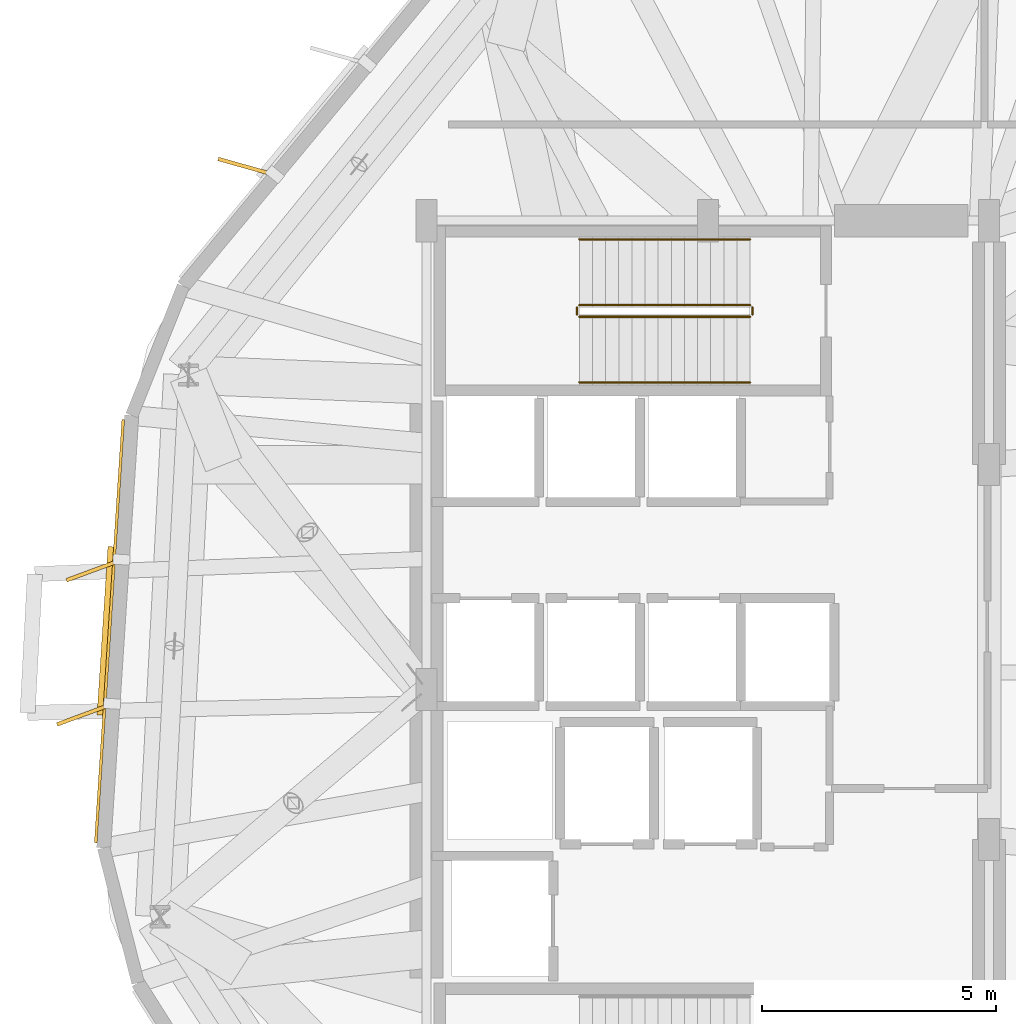
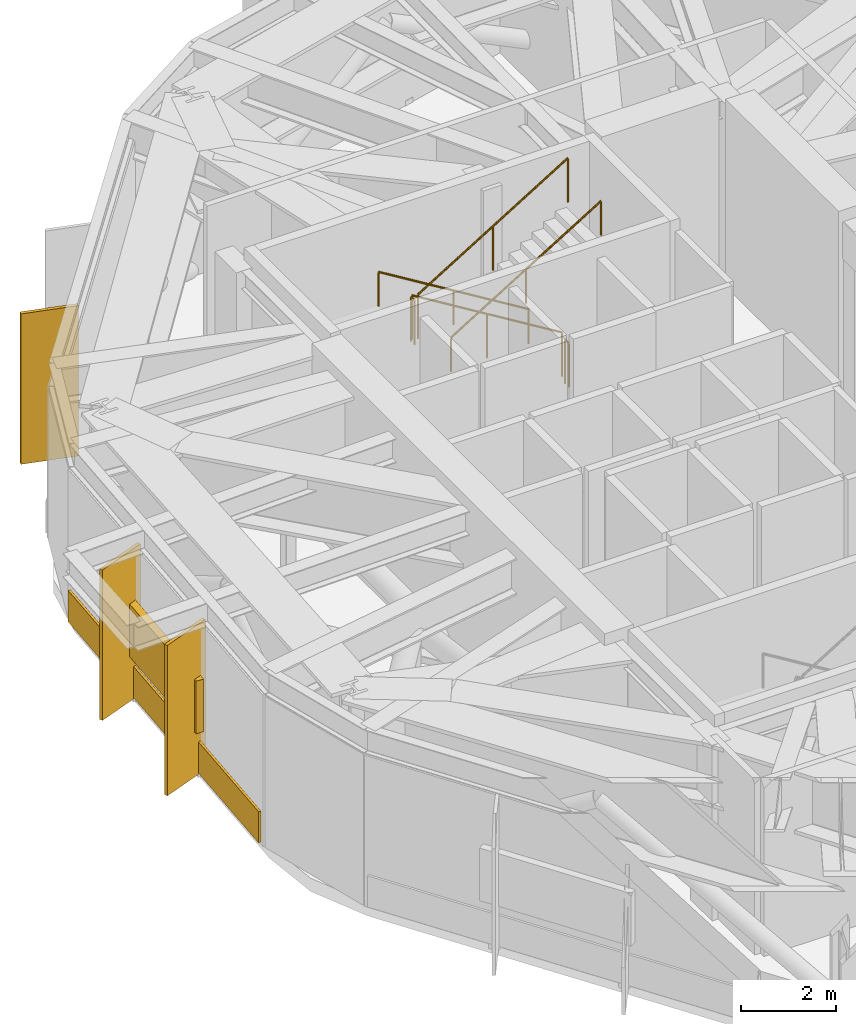
# One storey, part 12 of 13: 6 railings, 4 shading devices, 1 covering.
"""IFC4 building model written with IfcOpenShell, lengths in metres."""

from ifc_helpers import new_model, si_unit, direction, frame, origin, origin_2d, place, context, subcontext, project, spatial, rectangle, circle, extrude, material, layer, layer_set, type_object, element, save


model = new_model("IFC4")

# Units and contexts
model_context = context("Model", 3, precision=1e-05, world=origin(), true_north=direction((0.0, 1.0)))
body_context = subcontext(model_context, "Body", "Model", "MODEL_VIEW")
ifc_project = project(units=[si_unit("LENGTHUNIT", "METRE"), si_unit("AREAUNIT", "SQUARE_METRE"), si_unit("VOLUMEUNIT", "CUBIC_METRE"), si_unit("PLANEANGLEUNIT", "RADIAN"), si_unit("MASSUNIT", "GRAM", prefix="KILO")], contexts=[model_context])

# Site, building, storey
site_placement = place(None, origin())
site = spatial("IfcSite", under=ifc_project, at=site_placement, CompositionType="ELEMENT")
building_placement = place(site_placement, origin())
building = spatial("IfcBuilding", under=site, at=building_placement, Name="Soratama Intermodal Tower", CompositionType="ELEMENT")
storey_placement = place(building_placement, frame((0.0, 0.0, 82.60009765625)))
storey = spatial("IfcBuildingStorey", under=building, at=storey_placement, Name="L19", CompositionType="ELEMENT", Elevation=82.60009765625)

# Covering
ifc_material_1 = material(Name="Honed Andean limestone cladding", Category="masonry")
ifc_layer_1 = layer(ifc_material_1, 0.06005859375)
ifc_layer_set_1 = layer_set([ifc_layer_1], Name="Honed Andean limestone cladding")
covering_type = type_object("IfcCoveringType", Name="CV-STONE-CLAD", PredefinedType="CLADDING", material=ifc_layer_set_1)
covering_placement = place(storey_placement, frame((25.8388671875, 26.245849609375, 0.0498046875), z_axis=(0.0, 0.0, 1.0), x_axis=(-0.064880642578, -0.997893031451, 0.0)))
element("IfcCovering", 1, at=covering_placement, inside=storey, type_object=covering_type, Name="L19 Stone Cladding F05", PredefinedType="CLADDING", context=body_context, shape_type="SweptSolid", body=[
    extrude(rectangle(XDim=9.044921875, YDim=0.06005859375, at=origin_2d()), origin(), (0.0, 0.0, 1.0), 0.800048828125),
])

# Railings
ifc_material_2 = material(Name="Painted steel stair guardrail", Category="steel")
railing_type_1 = type_object("IfcRailingType", Name="RL-STAIR-GUARD", PredefinedType="GUARDRAIL", material=ifc_material_2)
railing_1_placement = place(storey_placement, frame((39.5, 33.199951171875, 0.17138671875)))
element("IfcRailing", 2, at=railing_1_placement, inside=storey, type_object=railing_type_1, Name="L19 ST-2 stair guard 1", PredefinedType="GUARDRAIL", context=body_context, shape_type="SweptSolid", body=[
    extrude(circle(Radius=0.02392578125, at=origin_2d()), frame((0.0, 0.0, 1.1259765625), z_axis=(-0.852850264322, 0.0, 0.5221555579), x_axis=(0.0, -1.0, 0.0)), (0.0, 0.0, 1.0), 4.267822265625),
    extrude(circle(Radius=0.02099609375, at=origin_2d()), origin(), (0.0, 0.0, 1.0), 1.101806640625),
    extrude(circle(Radius=0.02099609375, at=origin_2d()), frame((-1.81982421875, 0.0, 1.1142578125)), (0.0, 0.0, 1.0), 1.101806640625),
    extrude(circle(Radius=0.02099609375, at=origin_2d()), frame((-3.639892578125, 0.0, 2.228515625)), (0.0, 0.0, 1.0), 1.101806640625),
])
railing_2_placement = place(storey_placement, frame((35.81005859375, 33.14990234375, 2.39990234375)))
element("IfcRailing", 3, at=railing_2_placement, inside=storey, type_object=railing_type_1, Name="L19 ST-2 stair guard 2", PredefinedType="GUARDRAIL", context=body_context, shape_type="SweptSolid", body=[
    extrude(circle(Radius=0.02392578125, at=origin_2d()), frame((0.0, 0.0, 1.1259765625), z_axis=(0.0, -1.0, 0.0), x_axis=(1.0, 0.0, 0.0)), (0.0, 0.0, 1.0), 0.14990234375),
    extrude(circle(Radius=0.02099609375, at=origin_2d()), origin(), (0.0, 0.0, 1.0), 1.101806640625),
    extrude(circle(Radius=0.02099609375, at=origin_2d()), frame((0.0, -0.14990234375, 0.0)), (0.0, 0.0, 1.0), 1.101806640625),
])
railing_3_placement = place(storey_placement, frame((35.860107421875, 32.949951171875, 2.5712890625)))
element("IfcRailing", 4, at=railing_3_placement, inside=storey, type_object=railing_type_1, Name="L19 ST-2 stair guard 3", PredefinedType="GUARDRAIL", context=body_context, shape_type="SweptSolid", body=[
    extrude(circle(Radius=0.02392578125, at=origin_2d()), frame((0.0, 0.0, 1.1259765625), z_axis=(0.852850264322, 0.0, 0.5221555579), x_axis=(0.0, 1.0, 0.0)), (0.0, 0.0, 1.0), 4.267822265625),
    extrude(circle(Radius=0.02099609375, at=origin_2d()), origin(), (0.0, 0.0, 1.0), 1.101806640625),
    extrude(circle(Radius=0.02099609375, at=origin_2d()), frame((1.81982421875, 0.0, 1.1142578125)), (0.0, 0.0, 1.0), 1.101806640625),
    extrude(circle(Radius=0.02099609375, at=origin_2d()), frame((3.639892578125, 0.0, 2.228515625)), (0.0, 0.0, 1.0), 1.101806640625),
])
railing_4_placement = place(storey_placement, frame((39.550048828125, 33.14990234375, 0.0)))
element("IfcRailing", 5, at=railing_4_placement, inside=storey, type_object=railing_type_1, Name="L19 ST-2 stair guard 4", PredefinedType="GUARDRAIL", context=body_context, shape_type="SweptSolid", body=[
    extrude(circle(Radius=0.02392578125, at=origin_2d()), frame((0.0, 0.0, 1.1259765625), z_axis=(0.0, -1.0, 0.0), x_axis=(1.0, 0.0, 0.0)), (0.0, 0.0, 1.0), 0.14990234375),
    extrude(circle(Radius=0.02099609375, at=origin_2d()), origin(), (0.0, 0.0, 1.0), 1.101806640625),
    extrude(circle(Radius=0.02099609375, at=origin_2d()), frame((0.0, -0.14990234375, 0.0)), (0.0, 0.0, 1.0), 1.101806640625),
])
ifc_material_3 = material(Name="Brushed stainless steel handrail", Category="steel")
railing_type_2 = type_object("IfcRailingType", Name="RL-STAIR-HAND", PredefinedType="HANDRAIL", material=ifc_material_3)
railing_5_placement = place(storey_placement, frame((39.5, 34.60009765625, 0.17138671875)))
element("IfcRailing", 6, at=railing_5_placement, inside=storey, type_object=railing_type_2, Name="L19 ST-2 stair handrail 1", PredefinedType="HANDRAIL", context=body_context, shape_type="SweptSolid", body=[
    extrude(circle(Radius=0.02392578125, at=origin_2d()), frame((0.0, 0.0, 0.8759765625), z_axis=(-0.852850264322, 0.0, 0.5221555579), x_axis=(0.0, -1.0, 0.0)), (0.0, 0.0, 1.0), 4.267822265625),
    extrude(circle(Radius=0.02099609375, at=origin_2d()), origin(), (0.0, 0.0, 1.0), 0.851806640625),
    extrude(circle(Radius=0.02099609375, at=origin_2d()), frame((-1.81982421875, 0.0, 1.1142578125)), (0.0, 0.0, 1.0), 0.851806640625),
    extrude(circle(Radius=0.02099609375, at=origin_2d()), frame((-3.639892578125, 0.0, 2.228515625)), (0.0, 0.0, 1.0), 0.851806640625),
])
railing_6_placement = place(storey_placement, frame((35.860107421875, 31.550048828125, 2.5712890625)))
element("IfcRailing", 7, at=railing_6_placement, inside=storey, type_object=railing_type_2, Name="L19 ST-2 stair handrail 2", PredefinedType="HANDRAIL", context=body_context, shape_type="SweptSolid", body=[
    extrude(circle(Radius=0.02392578125, at=origin_2d()), frame((0.0, 0.0, 0.8759765625), z_axis=(0.852850264322, 0.0, 0.5221555579), x_axis=(0.0, 1.0, 0.0)), (0.0, 0.0, 1.0), 4.267822265625),
    extrude(circle(Radius=0.02099609375, at=origin_2d()), origin(), (0.0, 0.0, 1.0), 0.851806640625),
    extrude(circle(Radius=0.02099609375, at=origin_2d()), frame((1.81982421875, 0.0, 1.1142578125)), (0.0, 0.0, 1.0), 0.851806640625),
    extrude(circle(Radius=0.02099609375, at=origin_2d()), frame((3.639892578125, 0.0, 2.228515625)), (0.0, 0.0, 1.0), 0.851806640625),
])

# Shading devices
ifc_material_4 = material(Name="Champagne anodised aluminium solar fin", Category="aluminium")
ifc_layer_2 = layer(ifc_material_4, 0.080078125)
ifc_layer_set_2 = layer_set([ifc_layer_2], Name="Champagne anodised aluminium solar fin")
shading_device_type_1 = type_object("IfcShadingDeviceType", Name="SH-FIN-1250", PredefinedType="USERDEFINED", material=ifc_layer_set_2)
for number, where, z_axis, x_axis, name in (
    (8, (28.759521484375, 36.148193359375, 0.02001953125), (0.0, 0.0, 1.0), (-0.962597230403, 0.270936472296, 0.0), "L19 Solar Fin F04-2"),
    (9, (25.50830078125, 27.548583984375, 0.02001953125), (0.0, 0.0, 1.0), (-0.938009980858, -0.346608245445, 0.0), "L19 Solar Fin F05-1"),
    (10, (25.30859375, 24.473388671875, 0.02001953125), (0.0, 0.0, 1.0), (-0.938009980858, -0.346608245445, 0.0), "L19 Solar Fin F05-2"),
):
    element("IfcShadingDevice", number, at=place(storey_placement, frame(where, z_axis=z_axis, x_axis=x_axis)), inside=storey, type_object=shading_device_type_1, Name=name, ObjectType="FIN", PredefinedType="USERDEFINED", context=body_context, shape_type="SweptSolid", body=[
        extrude(rectangle(XDim=1.25, YDim=0.080078125, at=origin_2d()), origin(), (0.0, 0.0, 1.0), 3.85888671875),
    ])
ifc_material_5 = material(Name="Anodised aluminium weather louvre", Category="aluminium")
ifc_layer_3 = layer(ifc_material_5, 0.1201171875)
ifc_layer_set_3 = layer_set([ifc_layer_3], Name="Anodised aluminium weather louvre")
shading_device_type_2 = type_object("IfcShadingDeviceType", Name="SH-LOUVRE-PLANT", PredefinedType="JALOUSIE", material=ifc_layer_set_3)
shading_device_placement = place(storey_placement, frame((25.77880859375, 26.249755859375, 1.1748046875), z_axis=(0.0, 0.0, 1.0), x_axis=(-0.064880642578, -0.997893031451, 0.0)))
element("IfcShadingDevice", 11, at=shading_device_placement, inside=storey, type_object=shading_device_type_2, Name="L19 Acoustic Louvre F05", PredefinedType="JALOUSIE", context=body_context, shape_type="SweptSolid", body=[
    extrude(rectangle(XDim=3.60009765625, YDim=0.179931640625, at=origin_2d()), origin(), (0.0, 0.0, 1.0), 1.35009765625),
])

save(model, "model.ifc")
